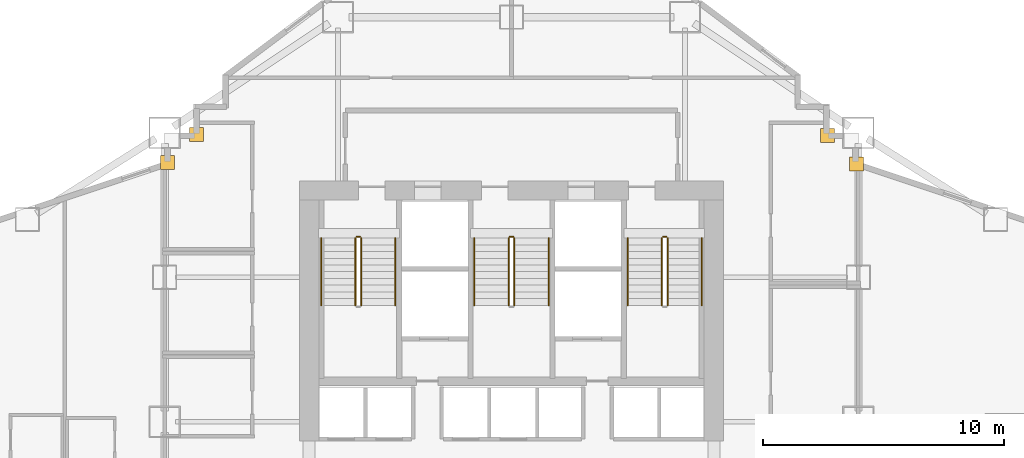
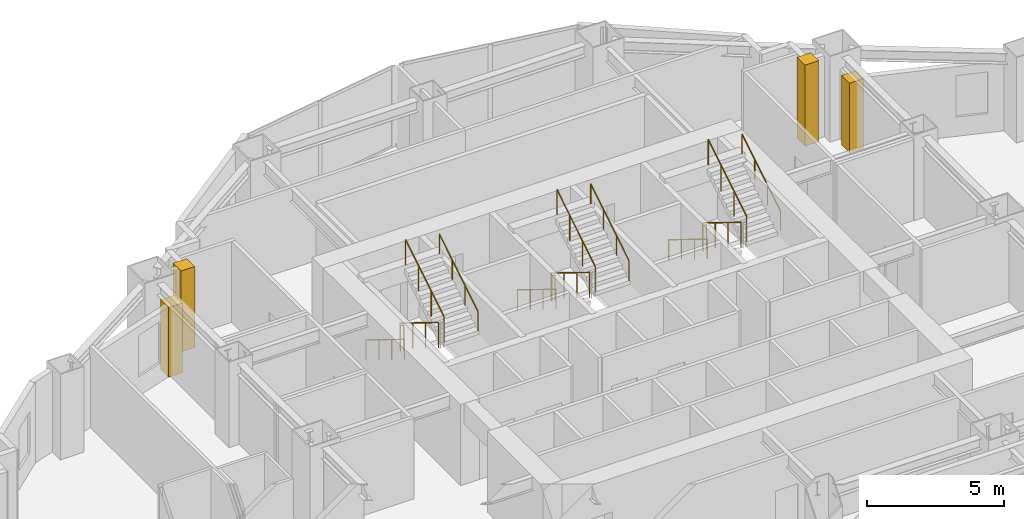
# One storey, part 16 of 17: 15 railings, 4 coverings.
"""IFC4 building model written with IfcOpenShell, lengths in metres."""

from ifc_helpers import new_model, si_unit, direction, frame, origin, origin_2d, place, context, subcontext, project, spatial, rectangle, circle, extrude, material, layer, layer_set, type_object, element, save


model = new_model("IFC4")

# Units and contexts
model_context = context("Model", 3, precision=1e-05, world=origin(), true_north=direction((0.0, 1.0)))
body_context = subcontext(model_context, "Body", "Model", "MODEL_VIEW")
ifc_project = project(units=[si_unit("LENGTHUNIT", "METRE"), si_unit("AREAUNIT", "SQUARE_METRE"), si_unit("VOLUMEUNIT", "CUBIC_METRE"), si_unit("PLANEANGLEUNIT", "RADIAN"), si_unit("MASSUNIT", "GRAM", prefix="KILO")], contexts=[model_context])

# Site, building, storey
site_placement = place(None, origin())
site = spatial("IfcSite", under=ifc_project, at=site_placement, CompositionType="ELEMENT")
building_placement = place(site_placement, origin())
building = spatial("IfcBuilding", under=site, at=building_placement, Name="Haolan Belvedere Tower", CompositionType="ELEMENT")
storey_placement = place(building_placement, frame((0.0, 0.0, 35.39990234375)))
storey = spatial("IfcBuildingStorey", under=building, at=storey_placement, Name="L08", CompositionType="ELEMENT", Elevation=35.39990234375)

# Coverings
ifc_material_1 = material(Name="Pale champagne-silver anodised aluminium rainscreen cladding", Category="aluminium")
ifc_layer = layer(ifc_material_1, 0.034912109375, Name="Pale champagne-silver anodised aluminium rainscreen cladding")
ifc_layer_set = layer_set([ifc_layer], Name="Pale champagne-silver anodised aluminium rainscreen cladding")
covering_type = type_object("IfcCoveringType", Name="COV-CLAD-35", PredefinedType="CLADDING", material=ifc_layer_set)
covering_1_placement = place(storey_placement, frame((52.72021484375, 44.300048828125, 0.0), z_axis=(0.0, 0.0, 1.0), x_axis=(1.0, 0.0, 0.0)))
element("IfcCovering", 1, at=covering_1_placement, inside=storey, type_object=covering_type, Name="L08 pale-metal serrated corner cladding trim 8", PredefinedType="CLADDING", context=body_context, shape_type="SweptSolid", body=[
    extrude(rectangle(XDim=0.580078125, YDim=0.580078125, at=origin_2d()), origin(), (0.0, 0.0, 1.0), 3.096923828125),
])
for number, where, z_axis, x_axis, name in (
    (2, (51.5224609375, 45.47998046875, 0.0), (0.0, 0.0, 1.0), (1.0, 0.0, 0.0), "L08 pale-metal serrated corner cladding trim 9"),
    (3, (25.320068359375, 45.5224609375, 0.0), (0.0, 0.0, 1.0), (1.0, 0.0, 0.0), "L08 pale-metal serrated corner cladding trim 10"),
):
    element("IfcCovering", number, at=place(storey_placement, frame(where, z_axis=z_axis, x_axis=x_axis)), inside=storey, type_object=covering_type, Name=name, PredefinedType="CLADDING", context=body_context, shape_type="SweptSolid", body=[
        extrude(rectangle(XDim=0.580078125, YDim=0.580078125, at=origin_2d()), origin(), (0.0, 0.0, 1.0), 3.60009765625),
    ])
covering_2_placement = place(storey_placement, frame((24.1201171875, 44.35595703125, 0.0), z_axis=(0.0, 0.0, 1.0), x_axis=(1.0, 0.0, 0.0)))
element("IfcCovering", 4, at=covering_2_placement, inside=storey, type_object=covering_type, Name="L08 pale-metal serrated corner cladding trim 11", PredefinedType="CLADDING", context=body_context, shape_type="SweptSolid", body=[
    extrude(rectangle(XDim=0.580078125, YDim=0.580078125, at=origin_2d()), origin(), (0.0, 0.0, 1.0), 3.096923828125),
])

# Railings
ifc_material_2 = material(Name="Brushed stainless steel 304", Category="steel")
railing_type_1 = type_object("IfcRailingType", Name="RL-STAIR-GRD-1150", PredefinedType="GUARDRAIL", material=ifc_material_2)
railing_1_placement = place(storey_placement, frame((31.919921875, 41.22998046875, 0.1728515625)))
element("IfcRailing", 5, at=railing_1_placement, inside=storey, type_object=railing_type_1, Name="L08 ST1 stair guard 1", PredefinedType="GUARDRAIL", context=body_context, shape_type="SweptSolid", body=[
    extrude(circle(Radius=0.02392578125, at=origin_2d()), frame((0.0, 0.0, 1.1259765625), z_axis=(0.0, -0.851089632645, 0.525020415988), x_axis=(1.0, 0.0, 0.0)), (0.0, 0.0, 1.0), 3.2900390625),
    extrude(circle(Radius=0.02099609375, at=origin_2d()), origin(), (0.0, 0.0, 1.0), 1.101806640625),
    extrude(circle(Radius=0.02099609375, at=origin_2d()), frame((0.0, -0.933349609375, 0.57568359375)), (0.0, 0.0, 1.0), 1.101806640625),
    extrude(circle(Radius=0.02099609375, at=origin_2d()), frame((0.0, -1.86669921875, 1.151611328125)), (0.0, 0.0, 1.0), 1.101806640625),
    extrude(circle(Radius=0.02099609375, at=origin_2d()), frame((0.0, -2.800048828125, 1.727294921875)), (0.0, 0.0, 1.0), 1.101806640625),
])
railing_2_placement = place(storey_placement, frame((32.159912109375, 38.429931640625, 2.07275390625)))
element("IfcRailing", 6, at=railing_2_placement, inside=storey, type_object=railing_type_1, Name="L08 ST1 stair guard 3", PredefinedType="GUARDRAIL", context=body_context, shape_type="SweptSolid", body=[
    extrude(circle(Radius=0.02392578125, at=origin_2d()), frame((0.0, 0.0, 1.1259765625), z_axis=(0.0, 0.851089632645, 0.525020415988), x_axis=(-1.0, 0.0, 0.0)), (0.0, 0.0, 1.0), 3.2900390625),
    extrude(circle(Radius=0.02099609375, at=origin_2d()), origin(), (0.0, 0.0, 1.0), 1.101806640625),
    extrude(circle(Radius=0.02099609375, at=origin_2d()), frame((0.0, 0.933349609375, 0.57568359375)), (0.0, 0.0, 1.0), 1.101806640625),
    extrude(circle(Radius=0.02099609375, at=origin_2d()), frame((0.0, 1.86669921875, 1.151611328125)), (0.0, 0.0, 1.0), 1.101806640625),
    extrude(circle(Radius=0.02099609375, at=origin_2d()), frame((0.0, 2.800048828125, 1.727294921875)), (0.0, 0.0, 1.0), 1.101806640625),
])
railing_3_placement = place(storey_placement, frame((31.969970703125, 41.280029296875, 0.0)))
element("IfcRailing", 7, at=railing_3_placement, inside=storey, type_object=railing_type_1, Name="L08 ST1 stair guard 4", PredefinedType="GUARDRAIL", context=body_context, shape_type="SweptSolid", body=[
    extrude(circle(Radius=0.02392578125, at=origin_2d()), frame((0.0, 0.0, 1.1259765625), z_axis=(1.0, 0.0, 0.0), x_axis=(0.0, 1.0, 0.0)), (0.0, 0.0, 1.0), 0.14013671875),
    extrude(circle(Radius=0.02099609375, at=origin_2d()), origin(), (0.0, 0.0, 1.0), 1.101806640625),
    extrude(circle(Radius=0.02099609375, at=origin_2d()), frame((0.14013671875, 0.0, 0.0)), (0.0, 0.0, 1.0), 1.101806640625),
])
railing_4_placement = place(storey_placement, frame((38.280029296875, 41.22998046875, 0.1728515625)))
element("IfcRailing", 8, at=railing_4_placement, inside=storey, type_object=railing_type_1, Name="L08 ST3 stair guard 1", PredefinedType="GUARDRAIL", context=body_context, shape_type="SweptSolid", body=[
    extrude(circle(Radius=0.02392578125, at=origin_2d()), frame((0.0, 0.0, 1.1259765625), z_axis=(0.0, -0.851089632645, 0.525020415988), x_axis=(1.0, 0.0, 0.0)), (0.0, 0.0, 1.0), 3.2900390625),
    extrude(circle(Radius=0.02099609375, at=origin_2d()), origin(), (0.0, 0.0, 1.0), 1.101806640625),
    extrude(circle(Radius=0.02099609375, at=origin_2d()), frame((0.0, -0.933349609375, 0.57568359375)), (0.0, 0.0, 1.0), 1.101806640625),
    extrude(circle(Radius=0.02099609375, at=origin_2d()), frame((0.0, -1.86669921875, 1.151611328125)), (0.0, 0.0, 1.0), 1.101806640625),
    extrude(circle(Radius=0.02099609375, at=origin_2d()), frame((0.0, -2.800048828125, 1.727294921875)), (0.0, 0.0, 1.0), 1.101806640625),
])
railing_5_placement = place(storey_placement, frame((38.52001953125, 38.429931640625, 2.07275390625)))
element("IfcRailing", 9, at=railing_5_placement, inside=storey, type_object=railing_type_1, Name="L08 ST3 stair guard 3", PredefinedType="GUARDRAIL", context=body_context, shape_type="SweptSolid", body=[
    extrude(circle(Radius=0.02392578125, at=origin_2d()), frame((0.0, 0.0, 1.1259765625), z_axis=(0.0, 0.851089632645, 0.525020415988), x_axis=(-1.0, 0.0, 0.0)), (0.0, 0.0, 1.0), 3.2900390625),
    extrude(circle(Radius=0.02099609375, at=origin_2d()), origin(), (0.0, 0.0, 1.0), 1.101806640625),
    extrude(circle(Radius=0.02099609375, at=origin_2d()), frame((0.0, 0.933349609375, 0.57568359375)), (0.0, 0.0, 1.0), 1.101806640625),
    extrude(circle(Radius=0.02099609375, at=origin_2d()), frame((0.0, 1.86669921875, 1.151611328125)), (0.0, 0.0, 1.0), 1.101806640625),
    extrude(circle(Radius=0.02099609375, at=origin_2d()), frame((0.0, 2.800048828125, 1.727294921875)), (0.0, 0.0, 1.0), 1.101806640625),
])
railing_6_placement = place(storey_placement, frame((38.330078125, 41.280029296875, 0.0)))
element("IfcRailing", 10, at=railing_6_placement, inside=storey, type_object=railing_type_1, Name="L08 ST3 stair guard 4", PredefinedType="GUARDRAIL", context=body_context, shape_type="SweptSolid", body=[
    extrude(circle(Radius=0.02392578125, at=origin_2d()), frame((0.0, 0.0, 1.1259765625), z_axis=(1.0, 0.0, 0.0), x_axis=(0.0, 1.0, 0.0)), (0.0, 0.0, 1.0), 0.139892578125),
    extrude(circle(Radius=0.02099609375, at=origin_2d()), origin(), (0.0, 0.0, 1.0), 1.101806640625),
    extrude(circle(Radius=0.02099609375, at=origin_2d()), frame((0.139892578125, 0.0, 0.0)), (0.0, 0.0, 1.0), 1.101806640625),
])
railing_7_placement = place(storey_placement, frame((44.639892578125, 41.22998046875, 0.1728515625)))
element("IfcRailing", 11, at=railing_7_placement, inside=storey, type_object=railing_type_1, Name="L08 ST2 stair guard 1", PredefinedType="GUARDRAIL", context=body_context, shape_type="SweptSolid", body=[
    extrude(circle(Radius=0.02392578125, at=origin_2d()), frame((0.0, 0.0, 1.1259765625), z_axis=(0.0, -0.851089632645, 0.525020415988), x_axis=(1.0, 0.0, 0.0)), (0.0, 0.0, 1.0), 3.2900390625),
    extrude(circle(Radius=0.02099609375, at=origin_2d()), origin(), (0.0, 0.0, 1.0), 1.101806640625),
    extrude(circle(Radius=0.02099609375, at=origin_2d()), frame((0.0, -0.933349609375, 0.57568359375)), (0.0, 0.0, 1.0), 1.101806640625),
    extrude(circle(Radius=0.02099609375, at=origin_2d()), frame((0.0, -1.86669921875, 1.151611328125)), (0.0, 0.0, 1.0), 1.101806640625),
    extrude(circle(Radius=0.02099609375, at=origin_2d()), frame((0.0, -2.800048828125, 1.727294921875)), (0.0, 0.0, 1.0), 1.101806640625),
])
railing_8_placement = place(storey_placement, frame((44.8798828125, 38.429931640625, 2.07275390625)))
element("IfcRailing", 12, at=railing_8_placement, inside=storey, type_object=railing_type_1, Name="L08 ST2 stair guard 3", PredefinedType="GUARDRAIL", context=body_context, shape_type="SweptSolid", body=[
    extrude(circle(Radius=0.02392578125, at=origin_2d()), frame((0.0, 0.0, 1.1259765625), z_axis=(0.0, 0.851089632645, 0.525020415988), x_axis=(-1.0, 0.0, 0.0)), (0.0, 0.0, 1.0), 3.2900390625),
    extrude(circle(Radius=0.02099609375, at=origin_2d()), origin(), (0.0, 0.0, 1.0), 1.101806640625),
    extrude(circle(Radius=0.02099609375, at=origin_2d()), frame((0.0, 0.933349609375, 0.57568359375)), (0.0, 0.0, 1.0), 1.101806640625),
    extrude(circle(Radius=0.02099609375, at=origin_2d()), frame((0.0, 1.86669921875, 1.151611328125)), (0.0, 0.0, 1.0), 1.101806640625),
    extrude(circle(Radius=0.02099609375, at=origin_2d()), frame((0.0, 2.800048828125, 1.727294921875)), (0.0, 0.0, 1.0), 1.101806640625),
])
railing_9_placement = place(storey_placement, frame((44.68994140625, 41.280029296875, 0.0)))
element("IfcRailing", 13, at=railing_9_placement, inside=storey, type_object=railing_type_1, Name="L08 ST2 stair guard 4", PredefinedType="GUARDRAIL", context=body_context, shape_type="SweptSolid", body=[
    extrude(circle(Radius=0.02392578125, at=origin_2d()), frame((0.0, 0.0, 1.1259765625), z_axis=(1.0, 0.0, 0.0), x_axis=(0.0, 1.0, 0.0)), (0.0, 0.0, 1.0), 0.14013671875),
    extrude(circle(Radius=0.02099609375, at=origin_2d()), origin(), (0.0, 0.0, 1.0), 1.101806640625),
    extrude(circle(Radius=0.02099609375, at=origin_2d()), frame((0.14013671875, 0.0, 0.0)), (0.0, 0.0, 1.0), 1.101806640625),
])
railing_type_2 = type_object("IfcRailingType", Name="RL-STAIR-HND-900", PredefinedType="HANDRAIL", material=ifc_material_2)
railing_10_placement = place(storey_placement, frame((30.5, 41.22998046875, 0.1728515625)))
element("IfcRailing", 14, at=railing_10_placement, inside=storey, type_object=railing_type_2, Name="L08 ST1 stair handrail 1", PredefinedType="HANDRAIL", context=body_context, shape_type="SweptSolid", body=[
    extrude(circle(Radius=0.02392578125, at=origin_2d()), frame((0.0, 0.0, 0.8759765625), z_axis=(0.0, -0.851089632645, 0.525020415988), x_axis=(1.0, 0.0, 0.0)), (0.0, 0.0, 1.0), 3.2900390625),
    extrude(circle(Radius=0.02099609375, at=origin_2d()), origin(), (0.0, 0.0, 1.0), 0.851806640625),
    extrude(circle(Radius=0.02099609375, at=origin_2d()), frame((0.0, -0.933349609375, 0.57568359375)), (0.0, 0.0, 1.0), 0.851806640625),
    extrude(circle(Radius=0.02099609375, at=origin_2d()), frame((0.0, -1.86669921875, 1.151611328125)), (0.0, 0.0, 1.0), 0.851806640625),
    extrude(circle(Radius=0.02099609375, at=origin_2d()), frame((0.0, -2.800048828125, 1.727294921875)), (0.0, 0.0, 1.0), 0.851806640625),
])
railing_11_placement = place(storey_placement, frame((33.580078125, 38.429931640625, 2.07275390625)))
element("IfcRailing", 15, at=railing_11_placement, inside=storey, type_object=railing_type_2, Name="L08 ST1 stair handrail 2", PredefinedType="HANDRAIL", context=body_context, shape_type="SweptSolid", body=[
    extrude(circle(Radius=0.02392578125, at=origin_2d()), frame((0.0, 0.0, 0.8759765625), z_axis=(0.0, 0.851089632645, 0.525020415988), x_axis=(-1.0, 0.0, 0.0)), (0.0, 0.0, 1.0), 3.2900390625),
    extrude(circle(Radius=0.02099609375, at=origin_2d()), origin(), (0.0, 0.0, 1.0), 0.851806640625),
    extrude(circle(Radius=0.02099609375, at=origin_2d()), frame((0.0, 0.933349609375, 0.57568359375)), (0.0, 0.0, 1.0), 0.851806640625),
    extrude(circle(Radius=0.02099609375, at=origin_2d()), frame((0.0, 1.86669921875, 1.151611328125)), (0.0, 0.0, 1.0), 0.851806640625),
    extrude(circle(Radius=0.02099609375, at=origin_2d()), frame((0.0, 2.800048828125, 1.727294921875)), (0.0, 0.0, 1.0), 0.851806640625),
])
railing_12_placement = place(storey_placement, frame((36.860107421875, 41.22998046875, 0.1728515625)))
element("IfcRailing", 16, at=railing_12_placement, inside=storey, type_object=railing_type_2, Name="L08 ST3 stair handrail 1", PredefinedType="HANDRAIL", context=body_context, shape_type="SweptSolid", body=[
    extrude(circle(Radius=0.02392578125, at=origin_2d()), frame((0.0, 0.0, 0.8759765625), z_axis=(0.0, -0.851089632645, 0.525020415988), x_axis=(1.0, 0.0, 0.0)), (0.0, 0.0, 1.0), 3.2900390625),
    extrude(circle(Radius=0.02099609375, at=origin_2d()), origin(), (0.0, 0.0, 1.0), 0.851806640625),
    extrude(circle(Radius=0.02099609375, at=origin_2d()), frame((0.0, -0.933349609375, 0.57568359375)), (0.0, 0.0, 1.0), 0.851806640625),
    extrude(circle(Radius=0.02099609375, at=origin_2d()), frame((0.0, -1.86669921875, 1.151611328125)), (0.0, 0.0, 1.0), 0.851806640625),
    extrude(circle(Radius=0.02099609375, at=origin_2d()), frame((0.0, -2.800048828125, 1.727294921875)), (0.0, 0.0, 1.0), 0.851806640625),
])
railing_13_placement = place(storey_placement, frame((39.93994140625, 38.429931640625, 2.07275390625)))
element("IfcRailing", 17, at=railing_13_placement, inside=storey, type_object=railing_type_2, Name="L08 ST3 stair handrail 2", PredefinedType="HANDRAIL", context=body_context, shape_type="SweptSolid", body=[
    extrude(circle(Radius=0.02392578125, at=origin_2d()), frame((0.0, 0.0, 0.8759765625), z_axis=(0.0, 0.851089632645, 0.525020415988), x_axis=(-1.0, 0.0, 0.0)), (0.0, 0.0, 1.0), 3.2900390625),
    extrude(circle(Radius=0.02099609375, at=origin_2d()), origin(), (0.0, 0.0, 1.0), 0.851806640625),
    extrude(circle(Radius=0.02099609375, at=origin_2d()), frame((0.0, 0.933349609375, 0.57568359375)), (0.0, 0.0, 1.0), 0.851806640625),
    extrude(circle(Radius=0.02099609375, at=origin_2d()), frame((0.0, 1.86669921875, 1.151611328125)), (0.0, 0.0, 1.0), 0.851806640625),
    extrude(circle(Radius=0.02099609375, at=origin_2d()), frame((0.0, 2.800048828125, 1.727294921875)), (0.0, 0.0, 1.0), 0.851806640625),
])
railing_14_placement = place(storey_placement, frame((43.219970703125, 41.22998046875, 0.1728515625)))
element("IfcRailing", 18, at=railing_14_placement, inside=storey, type_object=railing_type_2, Name="L08 ST2 stair handrail 1", PredefinedType="HANDRAIL", context=body_context, shape_type="SweptSolid", body=[
    extrude(circle(Radius=0.02392578125, at=origin_2d()), frame((0.0, 0.0, 0.8759765625), z_axis=(0.0, -0.851089632645, 0.525020415988), x_axis=(1.0, 0.0, 0.0)), (0.0, 0.0, 1.0), 3.2900390625),
    extrude(circle(Radius=0.02099609375, at=origin_2d()), origin(), (0.0, 0.0, 1.0), 0.851806640625),
    extrude(circle(Radius=0.02099609375, at=origin_2d()), frame((0.0, -0.933349609375, 0.57568359375)), (0.0, 0.0, 1.0), 0.851806640625),
    extrude(circle(Radius=0.02099609375, at=origin_2d()), frame((0.0, -1.86669921875, 1.151611328125)), (0.0, 0.0, 1.0), 0.851806640625),
    extrude(circle(Radius=0.02099609375, at=origin_2d()), frame((0.0, -2.800048828125, 1.727294921875)), (0.0, 0.0, 1.0), 0.851806640625),
])
railing_15_placement = place(storey_placement, frame((46.300048828125, 38.429931640625, 2.07275390625)))
element("IfcRailing", 19, at=railing_15_placement, inside=storey, type_object=railing_type_2, Name="L08 ST2 stair handrail 2", PredefinedType="HANDRAIL", context=body_context, shape_type="SweptSolid", body=[
    extrude(circle(Radius=0.02392578125, at=origin_2d()), frame((0.0, 0.0, 0.8759765625), z_axis=(0.0, 0.851089632645, 0.525020415988), x_axis=(-1.0, 0.0, 0.0)), (0.0, 0.0, 1.0), 3.2900390625),
    extrude(circle(Radius=0.02099609375, at=origin_2d()), origin(), (0.0, 0.0, 1.0), 0.851806640625),
    extrude(circle(Radius=0.02099609375, at=origin_2d()), frame((0.0, 0.933349609375, 0.57568359375)), (0.0, 0.0, 1.0), 0.851806640625),
    extrude(circle(Radius=0.02099609375, at=origin_2d()), frame((0.0, 1.86669921875, 1.151611328125)), (0.0, 0.0, 1.0), 0.851806640625),
    extrude(circle(Radius=0.02099609375, at=origin_2d()), frame((0.0, 2.800048828125, 1.727294921875)), (0.0, 0.0, 1.0), 0.851806640625),
])

save(model, "model.ifc")
